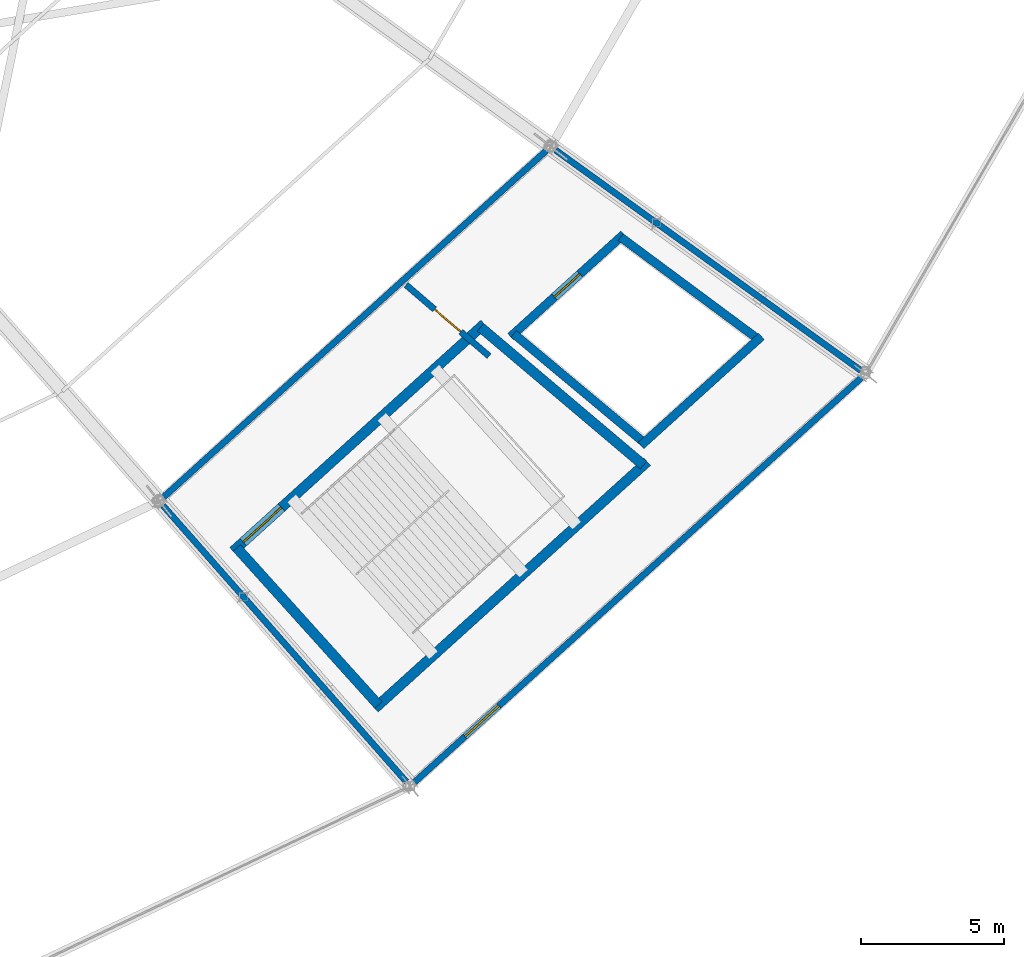
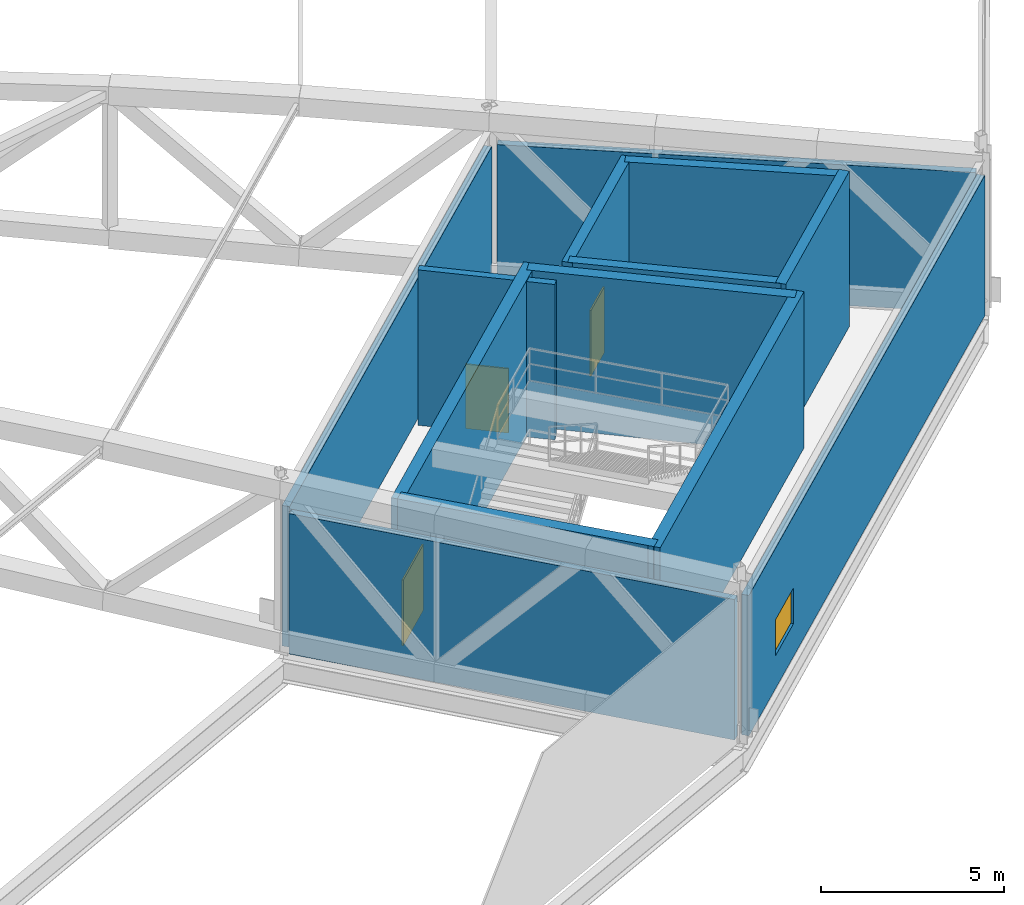
# One storey, part 149 of 162: 13 walls, 3 doors, 1 window, 4 openings.
"""IFC4 building model written with IfcOpenShell, lengths in metres."""

from ifc_helpers import new_model, si_unit, direction, frame, frame_2d, origin, place, context, subcontext, project, spatial, rectangle, extrude, material, layer, layer_set, type_object, element, fill, save


model = new_model("IFC4")

# Units and contexts
model_context = context("Model", 3, precision=1e-05, world=origin(), true_north=direction((0.0, 1.0)))
body_context = subcontext(model_context, "Body", "Model", "MODEL_VIEW")
ifc_project = project(units=[si_unit("LENGTHUNIT", "METRE"), si_unit("AREAUNIT", "SQUARE_METRE"), si_unit("VOLUMEUNIT", "CUBIC_METRE"), si_unit("PLANEANGLEUNIT", "RADIAN"), si_unit("MASSUNIT", "GRAM", prefix="KILO")], contexts=[model_context])

# Site, building, storey
site_placement = place(None, origin())
site = spatial("IfcSite", under=ifc_project, at=site_placement, CompositionType="ELEMENT")
building_placement = place(site_placement, origin())
building = spatial("IfcBuilding", under=site, at=building_placement, Name="Kazemori Nagisa Stadium", CompositionType="ELEMENT")
storey_placement = place(building_placement, frame((0.0, 0.0, 36.719970703125)))
storey = spatial("IfcBuildingStorey", under=building, at=storey_placement, Name="RF", CompositionType="ELEMENT", Elevation=36.719970703125)

# Wall, opening, door
ifc_material_1 = material(Name="Concrete C40/50 (Fc42)", Category="concrete")
ifc_layer_1 = layer(ifc_material_1, 0.35009765625, Name="Concrete C40/50 (Fc42)", Category="concrete")
ifc_layer_set_1 = layer_set([ifc_layer_1], Name="Concrete C40/50 (Fc42)")
wall_type_1 = type_object("IfcWallType", Name="Wall_W-CORE-350", PredefinedType="SHEAR", material=ifc_layer_set_1)
wall_1_placement = place(storey_placement, frame((179.416748046875, 39.139892578125, 0.0), z_axis=(0.0, 0.0, 1.0), x_axis=(0.741348929385, 0.671119784315, 0.0)))
wall_1 = element("IfcWall", 1, at=wall_1_placement, inside=storey, type_object=wall_type_1, Name="Core stair front shear wall ST04 RF", PredefinedType="SHEAR", context=body_context, shape_type="SweptSolid", body=[
    extrude(rectangle(XDim=11.826416015625, YDim=0.35009765625, at=frame_2d((5.9130859375, 0.0))), origin(), (0.0, 0.0, 1.0), 5.219970703125),
])
opening_1_placement = place(wall_1_placement, frame((0.47509765625, 0.0, 0.0)))
opening_1 = element("IfcOpeningElement", 2, at=opening_1_placement, cuts=wall_1, Name="Opening D-ST-1800", PredefinedType="OPENING", context=body_context, shape_type="SweptSolid", body=[
    extrude(rectangle(XDim=1.800048828125, YDim=2.199951171875, at=frame_2d((0.89990234375, 1.10009765625))), frame((0.0, 0.18505859375, 0.0), z_axis=(0.0, -1.0, 0.0), x_axis=(1.0, 0.0, 0.0)), (0.0, 0.0, 1.0), 0.3701171875),
])
ifc_material_2 = material(Name="Galvanised steel sheet", Category="steel")
door_type_1 = type_object("IfcDoorType", Name="Door_D-ST-1800", OperationType="NOTDEFINED", PredefinedType="DOOR", material=ifc_material_2)
door_1_placement = place(opening_1_placement, frame((1.800048828125, 0.0, 0.0), z_axis=(0.0, 0.0, 1.0), x_axis=(-1.0, 0.0, 0.0)))
door_1 = element("IfcDoor", 3, at=door_1_placement, inside=storey, type_object=door_type_1, Name="Exit stair fire door ST04-RF", OperationType="SINGLE_SWING_RIGHT", OverallHeight=2.199951171875, OverallWidth=1.800048828125, PredefinedType="DOOR", context=body_context, shape_type="SweptSolid", body=[
    extrude(rectangle(XDim=1.800048828125, YDim=2.199951171875, at=frame_2d((0.89990234375, 1.10009765625))), frame((0.0, 0.02490234375, 0.0), z_axis=(0.0, -1.0, 0.0), x_axis=(1.0, 0.0, 0.0)), (0.0, 0.0, 1.0), 0.050048828125),
])
fill(opening_1, door_1)

# Walls
wall_2_placement = place(storey_placement, frame((184.361328125, 33.6533203125, 0.0), z_axis=(0.0, 0.0, 1.0), x_axis=(0.741351373721, 0.671117084183, 0.0)))
element("IfcWall", 4, at=wall_2_placement, inside=storey, type_object=wall_type_1, Name="Core stair rear shear wall ST04 RF", PredefinedType="SHEAR", context=body_context, shape_type="SweptSolid", body=[
    extrude(rectangle(XDim=12.830322265625, YDim=0.35009765625, at=frame_2d((6.4150390625, 0.0))), origin(), (0.0, 0.0, 1.0), 5.219970703125),
])
wall_3_placement = place(storey_placement, frame((179.54638671875, 39.25732421875, 0.0), z_axis=(0.0, 0.0, 1.0), x_axis=(0.669463145673, -0.742845270958, 0.0)))
element("IfcWall", 5, at=wall_3_placement, inside=storey, type_object=wall_type_1, Name="Core stair left shear wall ST04 RF", PredefinedType="SHEAR", context=body_context, shape_type="SweptSolid", body=[
    extrude(rectangle(XDim=7.385986328125, YDim=0.35009765625, at=frame_2d((3.69287109375, 0.0))), origin(), (0.0, 0.0, 1.0), 5.219970703125),
])
wall_4_placement = place(storey_placement, frame((188.0546875, 46.95947265625, 0.0), z_axis=(0.0, 0.0, 1.0), x_axis=(0.763422324031, -0.64589964791, 0.0)))
element("IfcWall", 6, at=wall_4_placement, inside=storey, type_object=wall_type_1, Name="Core stair right shear wall ST04 RF", PredefinedType="SHEAR", context=body_context, shape_type="SweptSolid", body=[
    extrude(rectangle(XDim=7.45166015625, YDim=0.35009765625, at=frame_2d((3.725830078125, 0.0))), origin(), (0.0, 0.0, 1.0), 5.219970703125),
])
ifc_material_3 = material(Name="Steel S355 (SN490B)", Category="steel")
ifc_layer_2 = layer(ifc_material_3, 0.219970703125, Name="Steel S355 (SN490B)", Category="steel")
ifc_layer_set_2 = layer_set([ifc_layer_2], Name="Steel S355 (SN490B)")
wall_type_2 = type_object("IfcWallType", Name="Wall_W-EXT-220", PredefinedType="SOLIDWALL", material=ifc_layer_set_2)
wall_5_placement = place(storey_placement, frame((176.982421875, 41.0234375, 0.0), z_axis=(0.0, 0.0, 1.0), x_axis=(0.741349812395, 0.671118808902, 0.0)))
element("IfcWall", 7, at=wall_5_placement, inside=storey, type_object=wall_type_2, Name="Corner headhouse exterior wall RF-B25-in", PredefinedType="SOLIDWALL", context=body_context, shape_type="SweptSolid", body=[
    extrude(rectangle(XDim=18.041748046875, YDim=0.219970703125, at=frame_2d((9.02099609375, 0.0))), origin(), (0.0, 0.0, 1.0), 4.68994140625),
])

# Wall, opening, window
wall_6_placement = place(storey_placement, frame((185.746337890625, 31.0751953125, 0.0), z_axis=(0.0, 0.0, 1.0), x_axis=(0.74134637924, 0.671122601309, 0.0)))
wall_6 = element("IfcWall", 8, at=wall_6_placement, inside=storey, type_object=wall_type_2, Name="Corner headhouse exterior wall RF-B25-out", PredefinedType="SOLIDWALL", context=body_context, shape_type="SweptSolid", body=[
    extrude(rectangle(XDim=21.0439453125, YDim=0.219970703125, at=frame_2d((10.52197265625, 0.0))), origin(), (0.0, 0.0, 1.0), 4.68994140625),
])
opening_2_placement = place(wall_6_placement, frame((2.3798828125, 0.0, 1.10009765625)))
opening_2 = element("IfcOpeningElement", 9, at=opening_2_placement, cuts=wall_6, Name="Opening WIN-RF-1600", PredefinedType="OPENING", context=body_context, shape_type="SweptSolid", body=[
    extrude(rectangle(XDim=1.60009765625, YDim=1.199951171875, at=frame_2d((0.800048828125, 0.60009765625))), frame((0.0, 0.119873046875, 0.0), z_axis=(0.0, -1.0, 0.0), x_axis=(1.0, 0.0, 0.0)), (0.0, 0.0, 1.0), 0.239990234375),
])
ifc_material_4 = material(Name="Low-e laminated double glazing", Category="glass")
window_type = type_object("IfcWindowType", Name="Window_WIN-RF-1600", PartitioningType="SINGLE_PANEL", PredefinedType="WINDOW", material=ifc_material_4)
window_placement = place(opening_2_placement, origin())
window = element("IfcWindow", 10, at=window_placement, inside=storey, type_object=window_type, Name="Headhouse plant clerestory window RF-B25", OverallHeight=1.199951171875, OverallWidth=1.60009765625, PartitioningType="SINGLE_PANEL", PredefinedType="WINDOW", context=body_context, shape_type="SweptSolid", body=[
    extrude(rectangle(XDim=1.60009765625, YDim=1.199951171875, at=frame_2d((0.800048828125, 0.60009765625))), frame((0.0, 0.030029296875, 0.0), z_axis=(0.0, -1.0, 0.0), x_axis=(1.0, 0.0, 0.0)), (0.0, 0.0, 1.0), 0.06005859375),
])
fill(opening_2, window)

# Walls
wall_7_placement = place(storey_placement, frame((176.966552734375, 40.7392578125, 0.0), z_axis=(0.0, 0.0, 1.0), x_axis=(0.661016034052, -0.750371776339, 0.0)))
element("IfcWall", 11, at=wall_7_placement, inside=storey, type_object=wall_type_2, Name="Corner headhouse exterior wall RF-B25-L", PredefinedType="SOLIDWALL", context=body_context, shape_type="SweptSolid", body=[
    extrude(rectangle(XDim=12.85791015625, YDim=0.219970703125, at=frame_2d((6.428955078125, 0.0))), origin(), (0.0, 0.0, 1.0), 4.68994140625),
])
wall_8_placement = place(storey_placement, frame((190.668212890625, 53.148681640625, 0.0), z_axis=(0.0, 0.0, 1.0), x_axis=(0.810798631482, -0.585325190972, 0.0)))
element("IfcWall", 12, at=wall_8_placement, inside=storey, type_object=wall_type_2, Name="Corner headhouse exterior wall RF-B25-R", PredefinedType="SOLIDWALL", context=body_context, shape_type="SweptSolid", body=[
    extrude(rectangle(XDim=13.15380859375, YDim=0.219970703125, at=frame_2d((6.576904296875, 0.0))), origin(), (0.0, 0.0, 1.0), 4.68994140625),
])

# Wall, opening, door
ifc_material_5 = material(Name="Concrete C36/45 (Fc36)", Category="concrete")
ifc_layer_3 = layer(ifc_material_5, 0.219970703125, Name="Concrete C36/45 (Fc36)", Category="concrete")
ifc_layer_set_3 = layer_set([ifc_layer_3], Name="Concrete C36/45 (Fc36)")
wall_type_3 = type_object("IfcWallType", Name="Wall_W-LOBBY-220", PredefinedType="SOLIDWALL", material=ifc_layer_set_3)
wall_9_placement = place(storey_placement, frame((185.45556640625, 48.4384765625, 0.0), z_axis=(0.0, 0.0, 1.0), x_axis=(0.759103110824, -0.650970404194, 0.0)))
wall_9 = element("IfcWall", 13, at=wall_9_placement, inside=storey, type_object=wall_type_3, Name="Headhouse plant fire wall RF-B25", PredefinedType="SOLIDWALL", context=body_context, shape_type="SweptSolid", body=[
    extrude(rectangle(XDim=3.81787109375, YDim=0.219970703125, at=frame_2d((1.908935546875, 0.0))), origin(), (0.0, 0.0, 1.0), 5.18994140625),
])
opening_3_placement = place(wall_9_placement, frame((1.30908203125, 0.0, 0.0)))
opening_3 = element("IfcOpeningElement", 14, at=opening_3_placement, cuts=wall_9, Name="Opening D-PL-1200", PredefinedType="OPENING", context=body_context, shape_type="SweptSolid", body=[
    extrude(rectangle(XDim=1.199951171875, YDim=2.14990234375, at=frame_2d((0.60009765625, 1.074951171875))), frame((0.0, 0.119873046875, 0.0), z_axis=(0.0, -1.0, 0.0), x_axis=(1.0, 0.0, 0.0)), (0.0, 0.0, 1.0), 0.239990234375),
])
door_type_2 = type_object("IfcDoorType", Name="Door_D-PL-1200", OperationType="NOTDEFINED", PredefinedType="DOOR", material=ifc_material_2)
door_2_placement = place(opening_3_placement, origin())
door_2 = element("IfcDoor", 15, at=door_2_placement, inside=storey, type_object=door_type_2, Name="Headhouse plant fire door RF-B25", OperationType="SINGLE_SWING_LEFT", OverallHeight=2.14990234375, OverallWidth=1.199951171875, PredefinedType="DOOR", context=body_context, shape_type="SweptSolid", body=[
    extrude(rectangle(XDim=1.199951171875, YDim=2.14990234375, at=frame_2d((0.60009765625, 1.074951171875))), frame((0.0, 0.02490234375, 0.0), z_axis=(0.0, -1.0, 0.0), x_axis=(1.0, 0.0, 0.0)), (0.0, 0.0, 1.0), 0.050048828125),
])
fill(opening_3, door_2)

ifc_layer_4 = layer(ifc_material_1, 0.300048828125, Name="Concrete C40/50 (Fc42)", Category="concrete")
ifc_layer_set_4 = layer_set([ifc_layer_4], Name="Concrete C40/50 (Fc42)")
wall_type_4 = type_object("IfcWallType", Name="Wall_W-SHAFT-300", PredefinedType="SHEAR", material=ifc_layer_set_4)
wall_10_placement = place(storey_placement, frame((189.10302734375, 46.631103515625, 0.0), z_axis=(0.0, 0.0, 1.0), x_axis=(0.741350155641, 0.671118429736, 0.0)))
wall_10 = element("IfcWall", 16, at=wall_10_placement, inside=storey, type_object=wall_type_4, Name="Lift shaft front wall FL4 RF", PredefinedType="SHEAR", context=body_context, shape_type="SweptSolid", body=[
    extrude(rectangle(XDim=5.3291015625, YDim=0.300048828125, at=frame_2d((2.66455078125, 0.0))), origin(), (0.0, 0.0, 1.0), 5.18994140625),
])
opening_4_placement = place(wall_10_placement, frame((2.06494140625, 0.0, 0.0)))
opening_4 = element("IfcOpeningElement", 17, at=opening_4_placement, cuts=wall_10, Name="Opening LD-FF", PredefinedType="OPENING", context=body_context, shape_type="SweptSolid", body=[
    extrude(rectangle(XDim=1.199951171875, YDim=2.199951171875, at=frame_2d((0.60009765625, 1.10009765625))), frame((0.0, 0.159912109375, 0.0), z_axis=(0.0, -1.0, 0.0), x_axis=(1.0, 0.0, 0.0)), (0.0, 0.0, 1.0), 0.320068359375),
])
ifc_material_6 = material(Name="Stainless steel SUS304", Category="steel")
door_type_3 = type_object("IfcDoorType", Name="Door_LD-FF", OperationType="SLIDING_TO_LEFT", PredefinedType="DOOR", material=ifc_material_6)
door_3_placement = place(opening_4_placement, origin())
door_3 = element("IfcDoor", 18, at=door_3_placement, inside=storey, type_object=door_type_3, Name="Lift landing door FL4-RF", OperationType="SLIDING_TO_LEFT", OverallHeight=2.199951171875, OverallWidth=1.199951171875, PredefinedType="DOOR", context=body_context, shape_type="SweptSolid", body=[
    extrude(rectangle(XDim=1.199951171875, YDim=2.199951171875, at=frame_2d((0.60009765625, 1.10009765625))), frame((0.0, 0.02490234375, 0.0), z_axis=(0.0, -1.0, 0.0), x_axis=(1.0, 0.0, 0.0)), (0.0, 0.0, 1.0), 0.050048828125),
])
fill(opening_4, door_3)

# Walls
wall_11_placement = place(storey_placement, frame((193.654296875, 42.832275390625, 0.0), z_axis=(0.0, 0.0, 1.0), x_axis=(0.74134208775, 0.671127341815, 0.0)))
element("IfcWall", 19, at=wall_11_placement, inside=storey, type_object=wall_type_4, Name="Lift shaft B wall FL4 RF", PredefinedType="SHEAR", context=body_context, shape_type="SweptSolid", body=[
    extrude(rectangle(XDim=5.674560546875, YDim=0.300048828125, at=frame_2d((2.83740234375, 0.0))), origin(), (0.0, 0.0, 1.0), 5.18994140625),
])
wall_12_placement = place(storey_placement, frame((189.214111328125, 46.73193359375, 0.0), z_axis=(0.0, 0.0, 1.0), x_axis=(0.767711354146, -0.640795815151, 0.0)))
element("IfcWall", 20, at=wall_12_placement, inside=storey, type_object=wall_type_4, Name="Lift shaft L wall FL4 RF", PredefinedType="SHEAR", context=body_context, shape_type="SweptSolid", body=[
    extrude(rectangle(XDim=5.9287109375, YDim=0.300048828125, at=frame_2d((2.96435546875, 0.0))), origin(), (0.0, 0.0, 1.0), 5.18994140625),
])
wall_13_placement = place(storey_placement, frame((192.9423828125, 50.10693359375, 0.0), z_axis=(0.0, 0.0, 1.0), x_axis=(0.803101805449, -0.59584183311, 0.0)))
element("IfcWall", 21, at=wall_13_placement, inside=storey, type_object=wall_type_4, Name="Lift shaft R wall FL4 RF", PredefinedType="SHEAR", context=body_context, shape_type="SweptSolid", body=[
    extrude(rectangle(XDim=5.986328125, YDim=0.300048828125, at=frame_2d((2.9931640625, 0.0))), origin(), (0.0, 0.0, 1.0), 5.18994140625),
])

save(model, "model.ifc")
